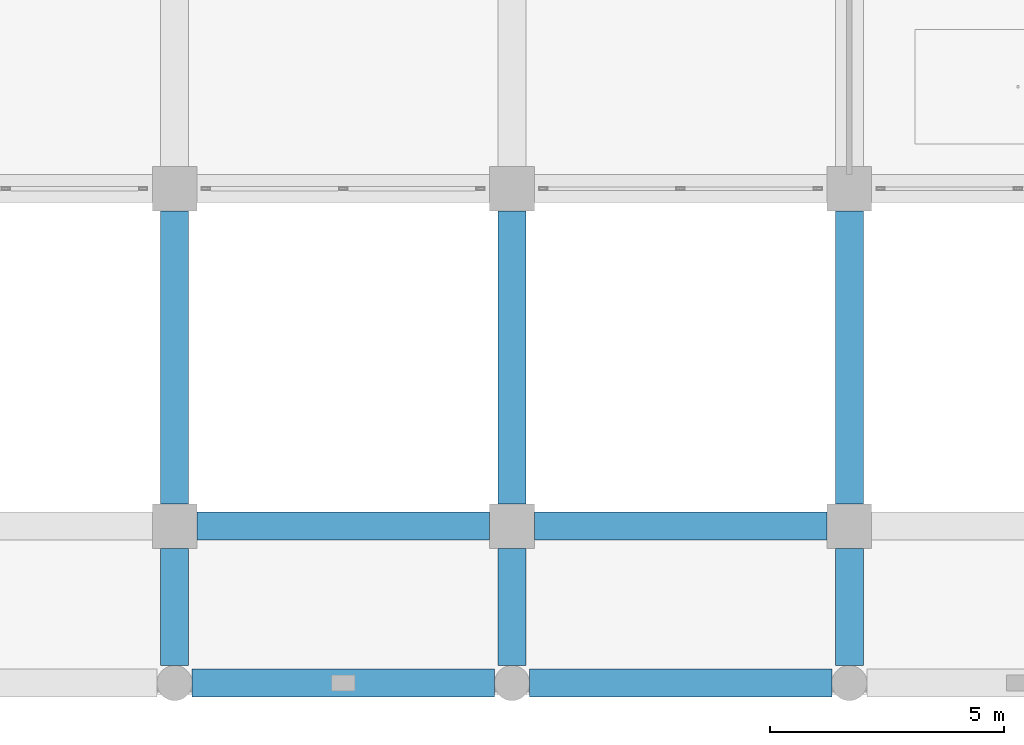
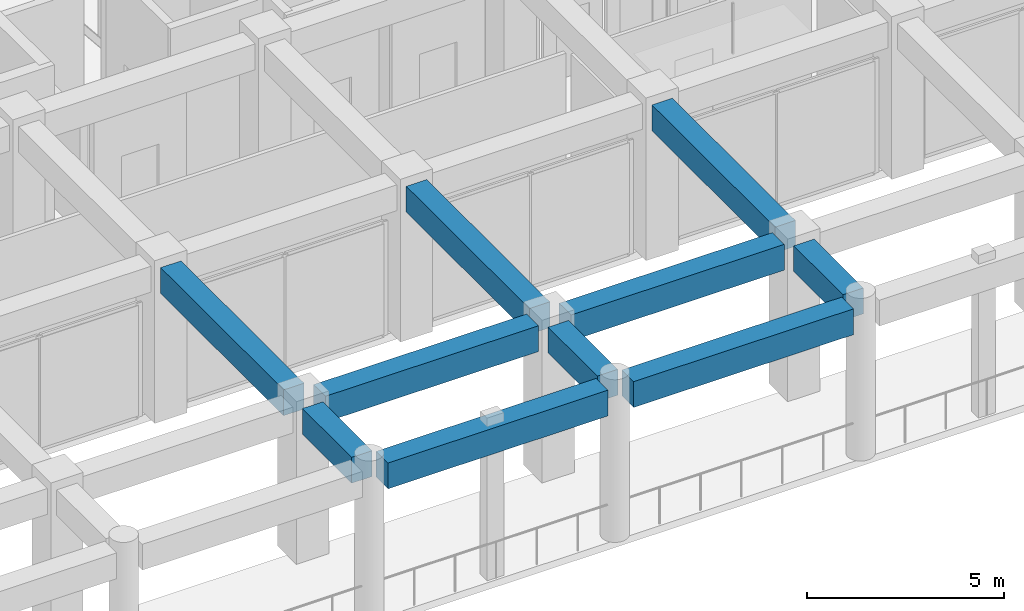
# One storey, part 9 of 54: 10 beams.
"""IFC4 building model written with IfcOpenShell, lengths in metres."""

import ifcopenshell
import ifcopenshell.guid

model = None  # the IFC model being written
_history = None  # IfcOwnerHistory: only IFC2X3 demands one
_inside = {}  # id of a spatial element -> (the spatial element, [elements in it])
_under = {}  # id of a project, library or spatial element -> (it, [spatial elements below it])
_declared = {}  # id of a project -> (the project, [libraries it declares])
_typed = {}  # id of a type object -> (the type object, [elements of that type])
_made_of = {}  # id of a material, layer set ... -> (it, [elements and type objects made of it])


def new_model(schema):
    """Start an empty IFC model of exactly this schema.

    Asked for "IFC4X3", IfcOpenShell would pick the latest addendum, in which some entities
    have other attributes; the version numbers below select the first issue.
    IFC2X3 requires an IfcOwnerHistory on every rooted entity: one is made here for all.
    """
    global model, _history
    if schema == "IFC4X3":
        model = ifcopenshell.file(schema_version=(4, 3, 0, 0))
    else:
        model = ifcopenshell.file(schema=schema)
    _inside.clear()
    _under.clear()
    _declared.clear()
    _typed.clear()
    _made_of.clear()
    _history = None
    if model.schema == "IFC2X3":
        org = make("IfcOrganization", Name="unknown")
        user = make(
            "IfcPersonAndOrganization",
            ThePerson=make("IfcPerson", FamilyName="unknown"),
            TheOrganization=org,
        )
        app = make(
            "IfcApplication",
            ApplicationDeveloper=org,
            Version="unknown",
            ApplicationFullName="unknown",
            ApplicationIdentifier="unknown",
        )
        _history = make(
            "IfcOwnerHistory",
            OwningUser=user,
            OwningApplication=app,
            ChangeAction="ADDED",
            CreationDate=0,
        )
    return model


def make(cls, **values):
    """One entity of the class cls with the attributes given. An attribute that is None is left unset."""
    return model.create_entity(
        cls, **{name: value for name, value in values.items() if value is not None}
    )


def rooted(cls, **values):
    """An entity with a GlobalId (a new one), such as an element, a storey or a relation."""
    return make(cls, GlobalId=ifcopenshell.guid.new(), OwnerHistory=_history, **values)


def si_unit(unit_type, name, prefix=None):
    """IfcSIUnit, for example si_unit("LENGTHUNIT", "METRE", prefix="MILLI")."""
    return make("IfcSIUnit", UnitType=unit_type, Prefix=prefix, Name=name)


def assignment(units):
    """IfcUnitAssignment: the units of a project."""
    return None if units is None else make("IfcUnitAssignment", Units=units)


def point(xyz):
    """IfcCartesianPoint."""
    return None if xyz is None else make("IfcCartesianPoint", Coordinates=xyz)


def direction(xyz):
    """IfcDirection."""
    return None if xyz is None else make("IfcDirection", DirectionRatios=xyz)


def frame(location, z_axis=None, x_axis=None):
    """IfcAxis2Placement3D, a coordinate frame: its origin and axes. An axis left out is left unset."""
    return make(
        "IfcAxis2Placement3D",
        Location=point(location),
        Axis=direction(z_axis),
        RefDirection=direction(x_axis),
    )


def frame_2d(location, x_axis=None):
    """IfcAxis2Placement2D, a coordinate frame in the plane: its origin and x axis."""
    return make(
        "IfcAxis2Placement2D", Location=point(location), RefDirection=direction(x_axis)
    )


def origin():
    """The frame at (0, 0, 0) with its axes left unset."""
    return frame((0.0, 0.0, 0.0))


def origin_2d():
    """The frame at (0, 0) in the plane with its x axis left unset."""
    return frame_2d((0.0, 0.0))


def place(relative_to, where):
    """IfcLocalPlacement: puts the frame where relative to a parent placement (None: the world)."""
    return make(
        "IfcLocalPlacement", PlacementRelTo=relative_to, RelativePlacement=where
    )


def context(
    kind, dimensions, precision=None, world=None, true_north=None, identifier=None
):
    """IfcGeometricRepresentationContext, for example the 3D "Model" context."""
    return make(
        "IfcGeometricRepresentationContext",
        ContextIdentifier=identifier,
        ContextType=kind,
        CoordinateSpaceDimension=dimensions,
        Precision=precision,
        WorldCoordinateSystem=world,
        TrueNorth=true_north,
    )


def subcontext(parent, identifier, kind, view, scale=None):
    """IfcGeometricRepresentationSubContext, for example "Body" below "Model"."""
    return make(
        "IfcGeometricRepresentationSubContext",
        ContextIdentifier=identifier,
        ContextType=kind,
        ParentContext=parent,
        TargetScale=scale,
        TargetView=view,
    )


def project(units=None, contexts=None):
    """IfcProject with its units and contexts."""
    return rooted(
        "IfcProject",
        Name="project",
        RepresentationContexts=contexts,
        UnitsInContext=assignment(units),
    )


def spatial(cls, under=None, at=None, **own):
    """A site, building, storey or space (cls), placed at a placement, below another one or the project."""
    s = rooted(cls, ObjectPlacement=at, **own)
    if under is not None:
        _under.setdefault(under.id(), (under, []))[1].append(s)
    return s


def profile(cls, at=None, kind="AREA", **sizes):
    """A parametric profile (cls). Its sizes go by their IFC names, for example OverallWidth=200.0."""
    return make(cls, ProfileType=kind, Position=at, **sizes)


def rectangle(**sizes):
    """IfcRectangleProfileDef."""
    return profile("IfcRectangleProfileDef", **sizes)


def extrude(swept, where, along, depth):
    """IfcExtrudedAreaSolid: the profile swept, set in the frame where, extruded along a direction by depth."""
    return make(
        "IfcExtrudedAreaSolid",
        SweptArea=swept,
        Position=where,
        ExtrudedDirection=direction(along),
        Depth=depth,
    )


def shape(context_of_items, identifier, shape_type, items):
    """IfcShapeRepresentation: the items that make up one representation, for example the "Body"."""
    return make(
        "IfcShapeRepresentation",
        ContextOfItems=context_of_items,
        RepresentationIdentifier=identifier,
        RepresentationType=shape_type,
        Items=items,
    )


def material(Name=None, Category=None):
    """IfcMaterial."""
    return make("IfcMaterial", Name=Name, Category=Category)


def material_profile(
    of_material, cross_section, Name=None, Category=None, Priority=None
):
    """IfcMaterialProfile: a cross section and its material."""
    return make(
        "IfcMaterialProfile",
        Name=Name,
        Material=of_material,
        Profile=cross_section,
        Priority=Priority,
        Category=Category,
    )


def profile_set(profiles, Name=None, composite=None):
    """IfcMaterialProfileSet."""
    return make(
        "IfcMaterialProfileSet",
        Name=Name,
        MaterialProfiles=profiles,
        CompositeProfile=composite,
    )


def made_of(thing, what):
    """Note that an element or type object is made of a material, layer set ...; save() writes the relation."""
    if what is not None:
        _made_of.setdefault(what.id(), (what, []))[1].append(thing)
    return thing


def type_object(cls, material=None, **own):
    """A type object (cls), such as IfcWallType, which elements share."""
    return made_of(rooted(cls, **own), material)


def element(
    cls,
    number,
    at=None,
    inside=None,
    cuts=None,
    type_object=None,
    material=None,
    context=None,
    identifier="Body",
    shape_type=None,
    held_by="IfcProductDefinitionShape",
    body=None,
    shapes=None,
    **own,
):
    """One element of the class cls, such as IfcWall. Its Tag is "e" and its number.

    at: its placement. inside: the storey or other place that contains it. cuts: it is an
    opening in that element (IfcRelVoidsElement). A single representation is given by context,
    identifier, shape_type and body (its items); several are given by shapes. held_by: the class
    of the entity that holds the representations. save() writes the other relations.
    """
    e = rooted(cls, Tag="e%d" % number, ObjectPlacement=at, **own)
    if body is not None:
        shapes = [shape(context, identifier, shape_type, body)]
    if shapes is not None:
        e.Representation = make(held_by, Representations=shapes)
    if inside is not None:
        _inside.setdefault(inside.id(), (inside, []))[1].append(e)
    if cuts is not None:
        rooted(
            "IfcRelVoidsElement", RelatingBuildingElement=cuts, RelatedOpeningElement=e
        )
    if type_object is not None:
        _typed.setdefault(type_object.id(), (type_object, []))[1].append(e)
    return made_of(e, material)


def aggregate(whole, parts):
    """IfcRelAggregates: a whole, such as a stair, and the parts it consists of."""
    return rooted("IfcRelAggregates", RelatingObject=whole, RelatedObjects=parts)


def save(model, path):
    """Write the relations noted so far, then the file.

    IfcRelAggregates (storeys below a building ...), IfcRelContainedInSpatialStructure (elements
    in a storey), IfcRelDefinesByType, IfcRelAssociatesMaterial and IfcRelDeclares: one each for
    every whole, place, type object, material and project.
    """
    for whole, parts in _under.values():
        aggregate(whole, parts)
    for where, things in _inside.values():
        rooted(
            "IfcRelContainedInSpatialStructure",
            RelatedElements=things,
            RelatingStructure=where,
        )
    for kind, things in _typed.values():
        rooted("IfcRelDefinesByType", RelatedObjects=things, RelatingType=kind)
    for what, things in _made_of.values():
        rooted("IfcRelAssociatesMaterial", RelatedObjects=things, RelatingMaterial=what)
    for by, libraries in _declared.values():
        rooted("IfcRelDeclares", RelatingContext=by, RelatedDefinitions=libraries)
    model.write(path)


model = new_model("IFC4")

# Units and contexts
model_context = context("Model", 3, precision=1e-05, world=origin(), true_north=direction((0.0, 1.0)))
body_context = subcontext(model_context, "Body", "Model", "MODEL_VIEW")
ifc_project = project(units=[si_unit("LENGTHUNIT", "METRE"), si_unit("AREAUNIT", "SQUARE_METRE"), si_unit("VOLUMEUNIT", "CUBIC_METRE"), si_unit("PLANEANGLEUNIT", "RADIAN"), si_unit("MASSUNIT", "GRAM", prefix="KILO")], contexts=[model_context])

# Site, building, storey
site_placement = place(None, origin())
site = spatial("IfcSite", under=ifc_project, at=site_placement, CompositionType="ELEMENT")
building_placement = place(site_placement, origin())
building = spatial("IfcBuilding", under=site, at=building_placement, Name="Kazehaya Institute of Natural Sciences", CompositionType="ELEMENT")
storey_placement = place(building_placement, frame((0.0, 0.0, 5.39990234375)))
storey = spatial("IfcBuildingStorey", under=building, at=storey_placement, Name="L01", CompositionType="ELEMENT", Elevation=5.39990234375)

# Beams
ifc_material = material(Name="Concrete Fc36", Category="concrete")
ifc_material_profile = material_profile(ifc_material, rectangle(XDim=0.60009765625, YDim=0.800048828125, at=origin_2d()), Name="RC-600x800")
ifc_profile_set = profile_set([ifc_material_profile], Name="Concrete Fc36")
beam_type = type_object("IfcBeamType", Name="BM-G-600x800", PredefinedType="BEAM", material=ifc_profile_set)
for number, where, z_axis, x_axis, name in (
    (1, (69.375, 3.449951171875, 4.3701171875), (1.0, 0.0, 0.0), (0.0, 1.0, 0.0), "L01 primary X girder BMX-L01-690-34"),
    (2, (76.574951171875, 3.449951171875, 4.3701171875), (1.0, 0.0, 0.0), (0.0, 1.0, 0.0), "L01 primary X girder BMX-L01-762-34"),
):
    element("IfcBeam", number, at=place(storey_placement, frame(where, z_axis=z_axis, x_axis=x_axis)), inside=storey, type_object=beam_type, Name=name, PredefinedType="BEAM", context=body_context, shape_type="SweptSolid", body=[
        extrude(rectangle(XDim=0.60009765625, YDim=0.800048828125, at=origin_2d()), origin(), (0.0, 0.0, 1.0), 6.449951171875),
    ])
for number, where, z_axis, x_axis, name in (
    (3, (69.47509765625, 6.800048828125, 4.3701171875), (1.0, 0.0, 0.0), (0.0, 1.0, 0.0), "L01 primary X girder BMX-L01-690-68"),
    (4, (76.675048828125, 6.800048828125, 4.3701171875), (1.0, 0.0, 0.0), (0.0, 1.0, 0.0), "L01 primary X girder BMX-L01-762-68"),
):
    element("IfcBeam", number, at=place(storey_placement, frame(where, z_axis=z_axis, x_axis=x_axis)), inside=storey, type_object=beam_type, Name=name, PredefinedType="BEAM", context=body_context, shape_type="SweptSolid", body=[
        extrude(rectangle(XDim=0.60009765625, YDim=0.800048828125, at=origin_2d()), origin(), (0.0, 0.0, 1.0), 6.25),
    ])
beam_1_placement = place(storey_placement, frame((69.0, 3.824951171875, 4.3701171875), z_axis=(0.0, 1.0, 0.0), x_axis=(-1.0, 0.0, 0.0)))
element("IfcBeam", 5, at=beam_1_placement, inside=storey, type_object=beam_type, Name="L01 primary Y girder BMY-L01-690-34", PredefinedType="BEAM", context=body_context, shape_type="SweptSolid", body=[
    extrude(rectangle(XDim=0.60009765625, YDim=0.800048828125, at=origin_2d()), origin(), (0.0, 0.0, 1.0), 2.5),
])
beam_2_placement = place(storey_placement, frame((69.0, 7.27490234375, 4.3701171875), z_axis=(0.0, 1.0, 0.0), x_axis=(-1.0, 0.0, 0.0)))
element("IfcBeam", 6, at=beam_2_placement, inside=storey, type_object=beam_type, Name="L01 primary Y girder BMY-L01-690-68", PredefinedType="BEAM", context=body_context, shape_type="SweptSolid", body=[
    extrude(rectangle(XDim=0.60009765625, YDim=0.800048828125, at=origin_2d()), origin(), (0.0, 0.0, 1.0), 6.25),
])
beam_3_placement = place(storey_placement, frame((76.199951171875, 3.824951171875, 4.3701171875), z_axis=(0.0, 1.0, 0.0), x_axis=(-1.0, 0.0, 0.0)))
element("IfcBeam", 7, at=beam_3_placement, inside=storey, type_object=beam_type, Name="L01 primary Y girder BMY-L01-762-34", PredefinedType="BEAM", context=body_context, shape_type="SweptSolid", body=[
    extrude(rectangle(XDim=0.60009765625, YDim=0.800048828125, at=origin_2d()), origin(), (0.0, 0.0, 1.0), 2.5),
])
beam_4_placement = place(storey_placement, frame((76.199951171875, 7.27490234375, 4.3701171875), z_axis=(0.0, 1.0, 0.0), x_axis=(-1.0, 0.0, 0.0)))
element("IfcBeam", 8, at=beam_4_placement, inside=storey, type_object=beam_type, Name="L01 primary Y girder BMY-L01-762-68", PredefinedType="BEAM", context=body_context, shape_type="SweptSolid", body=[
    extrude(rectangle(XDim=0.60009765625, YDim=0.800048828125, at=origin_2d()), origin(), (0.0, 0.0, 1.0), 6.25),
])
beam_5_placement = place(storey_placement, frame((83.39990234375, 3.824951171875, 4.3701171875), z_axis=(0.0, 1.0, 0.0), x_axis=(-1.0, 0.0, 0.0)))
element("IfcBeam", 9, at=beam_5_placement, inside=storey, type_object=beam_type, Name="L01 primary Y girder BMY-L01-834-34", PredefinedType="BEAM", context=body_context, shape_type="SweptSolid", body=[
    extrude(rectangle(XDim=0.60009765625, YDim=0.800048828125, at=origin_2d()), origin(), (0.0, 0.0, 1.0), 2.5),
])
beam_6_placement = place(storey_placement, frame((83.39990234375, 7.27490234375, 4.3701171875), z_axis=(0.0, 1.0, 0.0), x_axis=(-1.0, 0.0, 0.0)))
element("IfcBeam", 10, at=beam_6_placement, inside=storey, type_object=beam_type, Name="L01 primary Y girder BMY-L01-834-68", PredefinedType="BEAM", context=body_context, shape_type="SweptSolid", body=[
    extrude(rectangle(XDim=0.60009765625, YDim=0.800048828125, at=origin_2d()), origin(), (0.0, 0.0, 1.0), 6.25),
])

save(model, "model.ifc")
